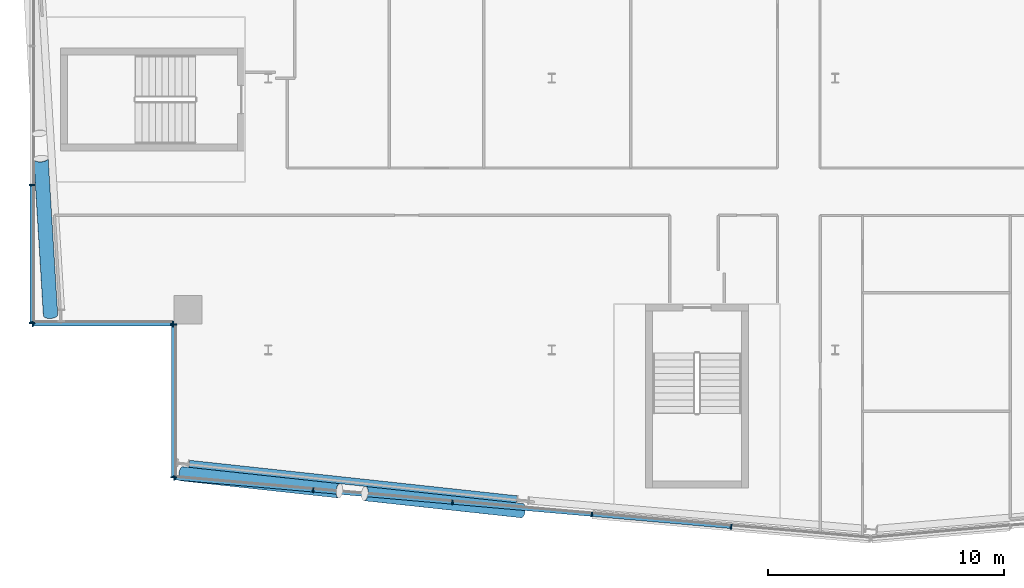
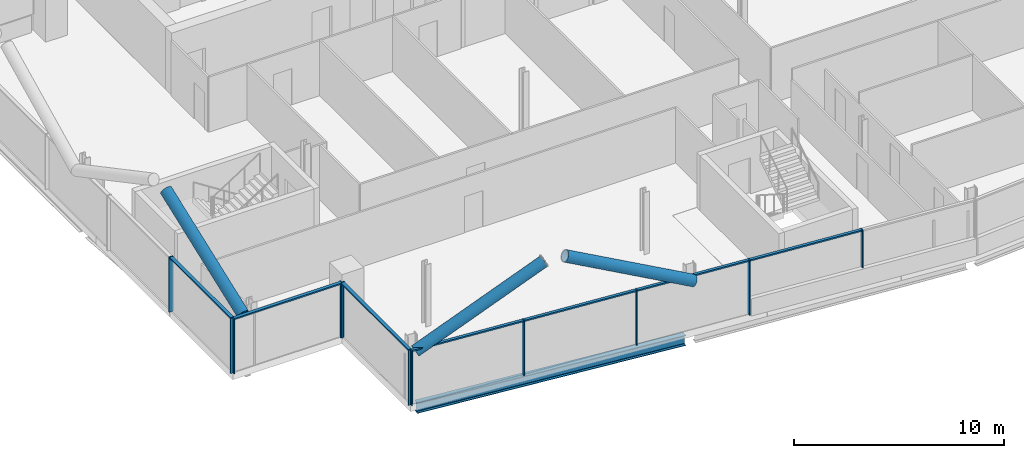
# One storey, part 5 of 27: 21 members, 1 beam, 4 elements without a shape of their own.
"""IFC4 building model written with IfcOpenShell, lengths in metres."""

from ifc_helpers import new_model, si_unit, direction, frame, origin, origin_2d, place, context, subcontext, project, spatial, rectangle, hollow_circle, i_section, extrude, material, material_profile, profile_set, type_object, element, aggregate, save


model = new_model("IFC4")

# Units and contexts
model_context = context("Model", 3, precision=1e-05, world=origin(), true_north=direction((0.0, 1.0)))
body_context = subcontext(model_context, "Body", "Model", "MODEL_VIEW")
ifc_project = project(units=[si_unit("LENGTHUNIT", "METRE"), si_unit("AREAUNIT", "SQUARE_METRE"), si_unit("VOLUMEUNIT", "CUBIC_METRE"), si_unit("PLANEANGLEUNIT", "RADIAN"), si_unit("MASSUNIT", "GRAM", prefix="KILO")], contexts=[model_context])

# Site, building, storey
site_placement = place(None, origin())
site = spatial("IfcSite", under=ifc_project, at=site_placement, CompositionType="ELEMENT")
building_placement = place(site_placement, origin())
building = spatial("IfcBuilding", under=site, at=building_placement, Name="Wharfspan Tower", CompositionType="ELEMENT")
storey_placement = place(building_placement, frame((0.0, 0.0, 210.699951)))
storey = spatial("IfcBuildingStorey", under=building, at=storey_placement, Name="L52", CompositionType="ELEMENT", Elevation=210.699951)

# Beam
ifc_material_1 = material(Name="Steel S355J2", Category="steel")
ifc_material_profile_1 = material_profile(ifc_material_1, i_section(OverallWidth=0.300049, OverallDepth=0.600098, WebThickness=0.015381, FlangeThickness=0.030029, FilletRadius=0.0271, at=origin_2d()))
ifc_profile_set_1 = profile_set([ifc_material_profile_1], Name="Steel S355J2")
beam_type = type_object("IfcBeamType", Name="Edge beam HEB 600", PredefinedType="SPANDREL", material=ifc_profile_set_1)
beam_placement = place(storey_placement, frame((20.648682, 6.674805, -0.699951), z_axis=(0.99418, -0.107732, 0.0), x_axis=(0.107732, 0.99418, 0.0)))
element("IfcBeam", 1, at=beam_placement, inside=storey, type_object=beam_type, Name="Edge beam S1 L52 PS1.1 to PS1.2", PredefinedType="SPANDREL", context=body_context, shape_type="SweptSolid", body=[
    extrude(i_section(OverallWidth=0.300049, OverallDepth=0.600098, WebThickness=0.015381, FlangeThickness=0.030029, FilletRadius=0.0271, at=origin_2d()), origin(), (0.0, 0.0, 1.0), 13.95752),
])

# Curtain wall, members
ifc_material_2 = material(Name="Aluminium 6063-T6", Category="aluminium")
curtain_wall_type_1 = type_object("IfcCurtainWallType", Name="CURTAIN WALL FACETED FRONT", PredefinedType="NOTDEFINED", material=ifc_material_2)
curtain_wall_1_placement = place(storey_placement, origin())
curtain_wall_1 = element("IfcCurtainWall", 2, at=curtain_wall_1_placement, inside=storey, type_object=curtain_wall_type_1, Name="Curtain wall S1", PredefinedType="NOTDEFINED")
ifc_material_profile_2 = material_profile(ifc_material_2, rectangle(XDim=0.199951, YDim=0.060059, at=origin_2d()))
ifc_profile_set_2 = profile_set([ifc_material_profile_2], Name="Aluminium 6063-T6")
member_type_1 = type_object("IfcMemberType", Name="MULLION FACETED FRONT 60x200", PredefinedType="MULLION", material=ifc_profile_set_2)
member_1_placement = place(storey_placement, frame((20.029785, 6.07251, 0.0), z_axis=(0.0, 0.0, 1.0), x_axis=(0.087156, 0.996197, 0.0)))
member_1 = element("IfcMember", 3, at=member_1_placement, type_object=member_type_1, Name="Curtain wall S1 mullion 1", PredefinedType="MULLION", context=body_context, shape_type="SweptSolid", body=[
    extrude(rectangle(XDim=0.199951, YDim=0.060059, at=origin_2d()), origin(), (0.0, 0.0, 1.0), 3.199951),
])
member_2_placement = place(storey_placement, frame((25.899902, 5.558838, 0.0), z_axis=(0.0, 0.0, 1.0), x_axis=(0.087156, 0.996197, 0.0)))
member_2 = element("IfcMember", 4, at=member_2_placement, type_object=member_type_1, Name="Curtain wall S1 mullion 2", PredefinedType="MULLION", context=body_context, shape_type="SweptSolid", body=[
    extrude(rectangle(XDim=0.199951, YDim=0.060059, at=origin_2d()), origin(), (0.0, 0.0, 1.0), 3.199951),
])
member_3_placement = place(storey_placement, frame((31.800049, 5.042725, 0.0), z_axis=(0.0, 0.0, 1.0), x_axis=(0.087156, 0.996197, 0.0)))
member_3 = element("IfcMember", 5, at=member_3_placement, type_object=member_type_1, Name="Curtain wall S1 mullion 3", PredefinedType="MULLION", context=body_context, shape_type="SweptSolid", body=[
    extrude(rectangle(XDim=0.199951, YDim=0.060059, at=origin_2d()), origin(), (0.0, 0.0, 1.0), 3.199951),
])
member_4_placement = place(storey_placement, frame((37.699951, 4.526611, 0.0), z_axis=(0.0, 0.0, 1.0), x_axis=(0.087156, 0.996197, 0.0)))
member_4 = element("IfcMember", 6, at=member_4_placement, type_object=member_type_1, Name="Curtain wall S1 mullion 4", PredefinedType="MULLION", context=body_context, shape_type="SweptSolid", body=[
    extrude(rectangle(XDim=0.199951, YDim=0.060059, at=origin_2d()), origin(), (0.0, 0.0, 1.0), 3.199951),
])
member_5_placement = place(storey_placement, frame((43.600098, 4.010254, 1.0), z_axis=(0.0, 0.0, 1.0), x_axis=(0.087156, 0.996197, 0.0)))
member_5 = element("IfcMember", 7, at=member_5_placement, type_object=member_type_1, Name="Curtain wall S1 mullion 5", PredefinedType="MULLION", context=body_context, shape_type="SweptSolid", body=[
    extrude(rectangle(XDim=0.199951, YDim=0.060059, at=origin_2d()), origin(), (0.0, 0.0, 1.0), 2.199951),
])

curtain_wall_type_2 = type_object("IfcCurtainWallType", Name="CURTAIN WALL PROW AND END", PredefinedType="NOTDEFINED", material=ifc_material_2)
curtain_wall_2_placement = place(storey_placement, origin())
curtain_wall_2 = element("IfcCurtainWall", 8, at=curtain_wall_2_placement, inside=storey, type_object=curtain_wall_type_2, Name="Curtain wall W", PredefinedType="NOTDEFINED")
ifc_material_profile_3 = material_profile(ifc_material_2, rectangle(XDim=0.23999, YDim=0.060059, at=origin_2d()))
ifc_profile_set_3 = profile_set([ifc_material_profile_3], Name="Aluminium 6063-T6")
member_type_2 = type_object("IfcMemberType", Name="MULLION PROW AND END 60x240", PredefinedType="MULLION", material=ifc_profile_set_3)
member_6_placement = place(storey_placement, frame((14.0, 18.47998, 0.0), z_axis=(0.0, 0.0, 1.0), x_axis=(1.0, 0.0, 0.0)))
member_6 = element("IfcMember", 9, at=member_6_placement, type_object=member_type_2, Name="Curtain wall W mullion 5", PredefinedType="MULLION", context=body_context, shape_type="SweptSolid", body=[
    extrude(rectangle(XDim=0.23999, YDim=0.060059, at=origin_2d()), origin(), (0.0, 0.0, 1.0), 3.199951),
])
member_7_placement = place(storey_placement, frame((14.0, 12.629883, 0.0), z_axis=(0.0, 0.0, 1.0), x_axis=(1.0, 0.0, 0.0)))
member_7 = element("IfcMember", 10, at=member_7_placement, type_object=member_type_2, Name="Curtain wall W mullion 6", PredefinedType="MULLION", context=body_context, shape_type="SweptSolid", body=[
    extrude(rectangle(XDim=0.23999, YDim=0.060059, at=origin_2d()), origin(), (0.0, 0.0, 1.0), 3.199951),
])

curtain_wall_3_placement = place(storey_placement, origin())
curtain_wall_3 = element("IfcCurtainWall", 11, at=curtain_wall_3_placement, inside=storey, type_object=curtain_wall_type_2, Name="Curtain wall NFW-H", PredefinedType="NOTDEFINED")
member_8_placement = place(storey_placement, frame((14.030029, 12.600098, 0.0), z_axis=(0.0, 0.0, 1.0), x_axis=(0.0, 1.0, 0.0)))
member_8 = element("IfcMember", 12, at=member_8_placement, type_object=member_type_2, Name="Curtain wall NFW-H mullion 1", PredefinedType="MULLION", context=body_context, shape_type="SweptSolid", body=[
    extrude(rectangle(XDim=0.23999, YDim=0.060059, at=origin_2d()), origin(), (0.0, 0.0, 1.0), 3.199951),
])
member_9_placement = place(storey_placement, frame((19.969971, 12.600098, 0.0), z_axis=(0.0, 0.0, 1.0), x_axis=(0.0, 1.0, 0.0)))
member_9 = element("IfcMember", 13, at=member_9_placement, type_object=member_type_2, Name="Curtain wall NFW-H mullion 2", PredefinedType="MULLION", context=body_context, shape_type="SweptSolid", body=[
    extrude(rectangle(XDim=0.23999, YDim=0.060059, at=origin_2d()), origin(), (0.0, 0.0, 1.0), 3.199951),
])

curtain_wall_4_placement = place(storey_placement, origin())
curtain_wall_4 = element("IfcCurtainWall", 14, at=curtain_wall_4_placement, inside=storey, type_object=curtain_wall_type_2, Name="Curtain wall NFW-V", PredefinedType="NOTDEFINED")
member_10_placement = place(storey_placement, frame((20.0, 12.570068, 0.0), z_axis=(0.0, 0.0, 1.0), x_axis=(1.0, 0.0, 0.0)))
member_10 = element("IfcMember", 15, at=member_10_placement, type_object=member_type_2, Name="Curtain wall NFW-V mullion 1", PredefinedType="MULLION", context=body_context, shape_type="SweptSolid", body=[
    extrude(rectangle(XDim=0.23999, YDim=0.060059, at=origin_2d()), origin(), (0.0, 0.0, 1.0), 3.199951),
])
member_11_placement = place(storey_placement, frame((20.0, 6.10498, 0.0), z_axis=(0.0, 0.0, 1.0), x_axis=(1.0, 0.0, 0.0)))
member_11 = element("IfcMember", 16, at=member_11_placement, type_object=member_type_2, Name="Curtain wall NFW-V mullion 2", PredefinedType="MULLION", context=body_context, shape_type="SweptSolid", body=[
    extrude(rectangle(XDim=0.23999, YDim=0.060059, at=origin_2d()), origin(), (0.0, 0.0, 1.0), 3.199951),
])

# Members
ifc_material_3 = material(Name="Steel S460NH", Category="steel")
ifc_material_profile_4 = material_profile(ifc_material_3, hollow_circle(Radius=0.304932, WallThickness=0.024902, at=origin_2d()))
ifc_profile_set_4 = profile_set([ifc_material_profile_4], Name="Steel S460NH")
member_type_3 = type_object("IfcMemberType", Name="Mega brace CHS 610x25", PredefinedType="BRACE", material=ifc_profile_set_4)
for number, where, z_axis, x_axis, name in (
    (17, (20.352539, 6.249268, 2.900146), (0.890126, -0.09646, 0.445389), (0.107737, 0.99418, -2e-06), "Mega brace S1 L53 part 1"),
    (18, (34.741699, 4.689941, 2.900146), (-0.890126, 0.09646, 0.445389), (-0.107737, -0.99418, -2e-06), "Mega brace S1 L53 part 3"),
):
    element("IfcMember", number, at=place(storey_placement, frame(where, z_axis=z_axis, x_axis=x_axis)), inside=storey, type_object=member_type_3, Name=name, PredefinedType="BRACE", context=body_context, shape_type="SweptSolid", body=[
        extrude(hollow_circle(Radius=0.304932, WallThickness=0.024902, at=origin_2d()), origin(), (0.0, 0.0, 1.0), 7.474121),
    ])
member_12_placement = place(storey_placement, frame((14.782715, 12.963379, 2.900146), z_axis=(-0.054615, 0.892302, 0.448123), x_axis=(-0.998132, -0.061091, -3e-06)))
element("IfcMember", 19, at=member_12_placement, inside=storey, type_object=member_type_3, Name="Mega brace W4 L53 part 3", PredefinedType="BRACE", context=body_context, shape_type="SweptSolid", body=[
    extrude(hollow_circle(Radius=0.304932, WallThickness=0.024902, at=origin_2d()), origin(), (0.0, 0.0, 1.0), 7.429443),
])

# Member
ifc_material_profile_5 = material_profile(ifc_material_2, rectangle(XDim=0.159912, YDim=0.080078, at=origin_2d()))
ifc_profile_set_5 = profile_set([ifc_material_profile_5], Name="Aluminium 6063-T6")
member_type_4 = type_object("IfcMemberType", Name="TRANSOM FACETED FRONT 80x160", PredefinedType="USERDEFINED", material=ifc_profile_set_5)
member_13_placement = place(storey_placement, frame((20.059814, 6.069824, 3.160156), z_axis=(0.996195, -0.08715, 0.0), x_axis=(0.08715, 0.996195, 0.0)))
member_13 = element("IfcMember", 20, at=member_13_placement, type_object=member_type_4, Name="Curtain wall S1 transom 1", ObjectType="TRANSOM", PredefinedType="USERDEFINED", context=body_context, shape_type="SweptSolid", body=[
    extrude(rectangle(XDim=0.159912, YDim=0.080078, at=origin_2d()), origin(), (0.0, 0.0, 1.0), 5.83252),
])

member_14_placement = place(storey_placement, frame((25.929932, 5.556152, 3.160156), z_axis=(0.996198, -0.087122, 0.0), x_axis=(0.087122, 0.996198, 0.0)))
member_14 = element("IfcMember", 21, at=member_14_placement, type_object=member_type_4, Name="Curtain wall S1 transom 2", ObjectType="TRANSOM", PredefinedType="USERDEFINED", context=body_context, shape_type="SweptSolid", body=[
    extrude(rectangle(XDim=0.159912, YDim=0.080078, at=origin_2d()), origin(), (0.0, 0.0, 1.0), 5.862305),
])

member_15_placement = place(storey_placement, frame((31.829834, 5.040039, 3.160156), z_axis=(0.996194, -0.08716, 0.0), x_axis=(0.08716, 0.996194, 0.0)))
member_15 = element("IfcMember", 22, at=member_15_placement, type_object=member_type_4, Name="Curtain wall S1 transom 3", ObjectType="TRANSOM", PredefinedType="USERDEFINED", context=body_context, shape_type="SweptSolid", body=[
    extrude(rectangle(XDim=0.159912, YDim=0.080078, at=origin_2d()), origin(), (0.0, 0.0, 1.0), 5.862549),
])

member_16_placement = place(storey_placement, frame((37.72998, 4.523926, 3.160156), z_axis=(0.996194, -0.087163, 0.0), x_axis=(0.087163, 0.996194, 0.0)))
member_16 = element("IfcMember", 23, at=member_16_placement, type_object=member_type_4, Name="Curtain wall S1 transom 4", ObjectType="TRANSOM", PredefinedType="USERDEFINED", context=body_context, shape_type="SweptSolid", body=[
    extrude(rectangle(XDim=0.159912, YDim=0.080078, at=origin_2d()), origin(), (0.0, 0.0, 1.0), 5.862305),
])

aggregate(curtain_wall_1, [member_1, member_2, member_3, member_4, member_5, member_13, member_14, member_15, member_16])

ifc_material_profile_6 = material_profile(ifc_material_2, rectangle(XDim=0.179932, YDim=0.080078, at=origin_2d()))
ifc_profile_set_6 = profile_set([ifc_material_profile_6], Name="Aluminium 6063-T6")
member_type_5 = type_object("IfcMemberType", Name="TRANSOM PROW AND END 80x180", PredefinedType="USERDEFINED", material=ifc_profile_set_6)
member_17_placement = place(storey_placement, frame((14.0, 18.449951, 3.160156), z_axis=(0.0, -1.0, 0.0), x_axis=(1.0, 0.0, 0.0)))
member_17 = element("IfcMember", 24, at=member_17_placement, type_object=member_type_5, Name="Curtain wall W transom 5", ObjectType="TRANSOM", PredefinedType="USERDEFINED", context=body_context, shape_type="SweptSolid", body=[
    extrude(rectangle(XDim=0.179932, YDim=0.080078, at=origin_2d()), origin(), (0.0, 0.0, 1.0), 5.790039),
])

aggregate(curtain_wall_2, [member_6, member_7, member_17])

member_18_placement = place(storey_placement, frame((14.060059, 12.600098, 3.160156), z_axis=(1.0, 0.0, 0.0), x_axis=(0.0, 1.0, 0.0)))
member_18 = element("IfcMember", 25, at=member_18_placement, type_object=member_type_5, Name="Curtain wall NFW-H transom 1", ObjectType="TRANSOM", PredefinedType="USERDEFINED", context=body_context, shape_type="SweptSolid", body=[
    extrude(rectangle(XDim=0.179932, YDim=0.080078, at=origin_2d()), origin(), (0.0, 0.0, 1.0), 5.879883),
])

aggregate(curtain_wall_3, [member_8, member_9, member_18])

member_19_placement = place(storey_placement, frame((20.0, 12.540039, 3.160156), z_axis=(0.0, -1.0, 0.0), x_axis=(1.0, 0.0, 0.0)))
member_19 = element("IfcMember", 26, at=member_19_placement, type_object=member_type_5, Name="Curtain wall NFW-V transom 1", ObjectType="TRANSOM", PredefinedType="USERDEFINED", context=body_context, shape_type="SweptSolid", body=[
    extrude(rectangle(XDim=0.179932, YDim=0.080078, at=origin_2d()), origin(), (0.0, 0.0, 1.0), 6.405029),
])

aggregate(curtain_wall_4, [member_10, member_11, member_19])

save(model, "model.ifc")
